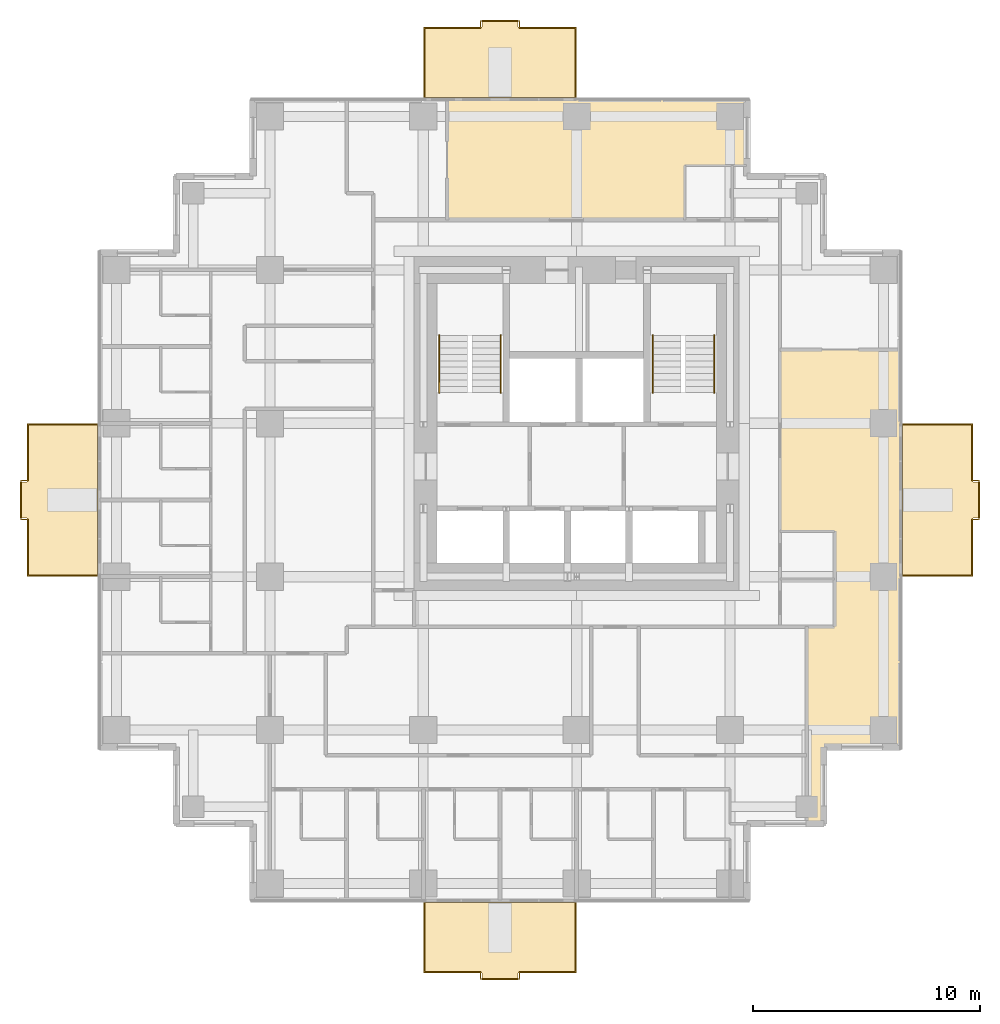
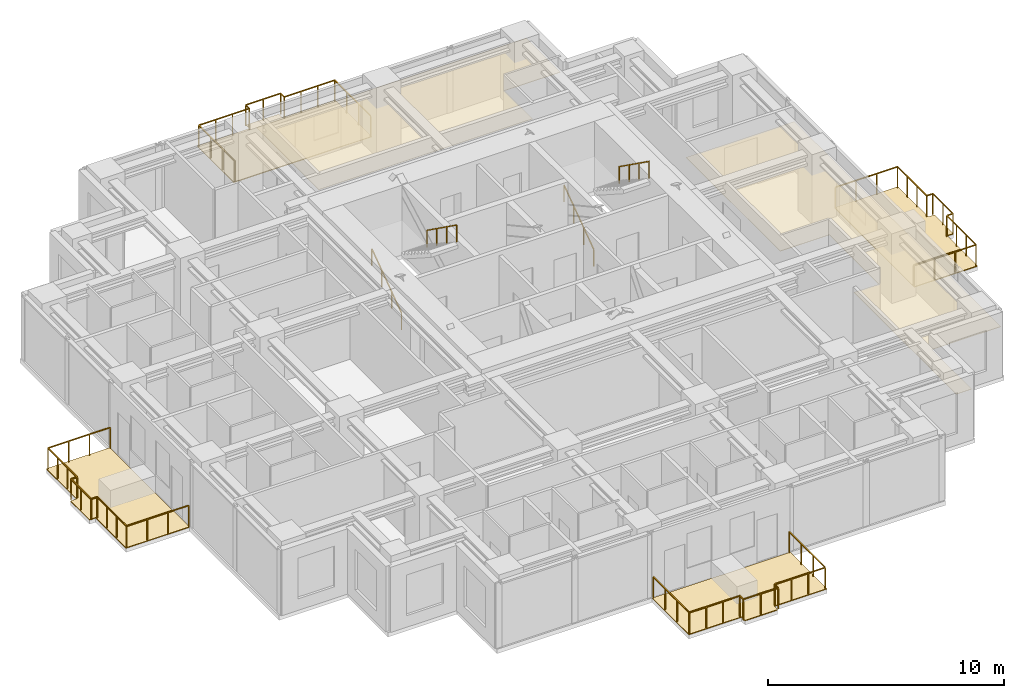
# One storey, part 8 of 8: 8 railings, 6 coverings.
"""IFC4 building model written with IfcOpenShell, lengths in metres."""

from ifc_helpers import new_model, si_unit, direction, frame, origin, origin_2d, place, context, subcontext, project, spatial, polyline, rectangle, outline, extrude, material, layer, layer_set, type_object, element, save


model = new_model("IFC4")

# Units and contexts
model_context = context("Model", 3, precision=1e-05, world=origin(), true_north=direction((0.0, 1.0)))
body_context = subcontext(model_context, "Body", "Model", "MODEL_VIEW")
ifc_project = project(units=[si_unit("LENGTHUNIT", "METRE"), si_unit("AREAUNIT", "SQUARE_METRE"), si_unit("VOLUMEUNIT", "CUBIC_METRE"), si_unit("PLANEANGLEUNIT", "RADIAN"), si_unit("MASSUNIT", "GRAM", prefix="KILO")], contexts=[model_context])

# Site, building, storey
site_placement = place(None, origin())
site = spatial("IfcSite", under=ifc_project, at=site_placement, CompositionType="ELEMENT")
building_placement = place(site_placement, origin())
building = spatial("IfcBuilding", under=site, at=building_placement, Name="Nyansa Garden Tower", CompositionType="ELEMENT")
storey_placement = place(building_placement, frame((0.0, 0.0, 171.0)))
storey = spatial("IfcBuildingStorey", under=building, at=storey_placement, Name="L46", CompositionType="ELEMENT", Elevation=171.0)

# Coverings
ifc_material_1 = material(Name="Perforated timber acoustic ceiling", Category="wood")
ifc_layer_1 = layer(ifc_material_1, 0.02001953125)
ifc_layer_set_1 = layer_set([ifc_layer_1], Name="Acoustic ceiling CL20")
covering_type_1 = type_object("IfcCoveringType", Name="Acoustic ceiling CL20", PredefinedType="CEILING", material=ifc_layer_set_1)
covering_1_placement = place(storey_placement, frame((0.0, 0.0, 2.5048828125)))
element("IfcCovering", 1, at=covering_1_placement, inside=storey, type_object=covering_type_1, Name="Ceiling L46-036", PredefinedType="CEILING", context=body_context, shape_type="SweptSolid", body=[
    extrude(outline(polyline([(30.375, 11.300048828125), (31.60009765625, 11.300048828125), (31.60009765625, 15.5), (29.199951171875, 15.5), (29.199951171875, 23.48193359375), (34.5, 23.48193359375), (34.5, 6.0), (31.125, 6.0), (31.125, 2.625), (30.375, 2.625), (30.375, 11.300048828125)])), origin(), (0.0, 0.0, 1.0), 0.02001953125),
])
covering_2_placement = place(storey_placement, frame((0.0, 0.0, 2.5048828125)))
element("IfcCovering", 2, at=covering_2_placement, inside=storey, type_object=covering_type_1, Name="Ceiling L46-040", PredefinedType="CEILING", context=body_context, shape_type="SweptSolid", body=[
    extrude(outline(polyline([(25.0, 31.60009765625), (25.0, 29.199951171875), (14.548583984375, 29.199951171875), (14.548583984375, 34.5), (27.75, 34.5), (27.75, 31.60009765625), (25.0, 31.60009765625)])), origin(), (0.0, 0.0, 1.0), 0.02001953125),
])
ifc_material_2 = material(Name="Hardwood decking on pedestals", Category="wood")
ifc_layer_2 = layer(ifc_material_2, 0.0400390625)
ifc_layer_set_2 = layer_set([ifc_layer_2], Name="Balcony decking DK40")
covering_type_2 = type_object("IfcCoveringType", Name="Balcony decking DK40", PredefinedType="FLOORING", material=ifc_layer_set_2)
covering_3_placement = place(storey_placement, frame((0.0, 0.0, -0.0400390625)))
element("IfcCovering", 3, at=covering_3_placement, inside=storey, type_object=covering_type_2, Name="Balcony decking L46", PredefinedType="FLOORING", context=body_context, shape_type="SweptSolid", body=[
    extrude(outline(polyline([(13.5, -0.85009765625), (20.25, -0.85009765625), (20.25, -3.949951171875), (17.675048828125, -3.949951171875), (17.675048828125, -4.25), (16.074951171875, -4.25), (16.074951171875, -3.949951171875), (13.5, -3.949951171875), (13.5, -0.85009765625)])), origin(), (0.0, 0.0, 1.0), 0.0400390625),
])
covering_4_placement = place(storey_placement, frame((0.0, 0.0, -0.0400390625)))
element("IfcCovering", 4, at=covering_4_placement, inside=storey, type_object=covering_type_2, Name="Balcony decking L46", PredefinedType="FLOORING", context=body_context, shape_type="SweptSolid", body=[
    extrude(outline(polyline([(34.60009765625, 13.5), (34.60009765625, 20.25), (37.699951171875, 20.25), (37.699951171875, 17.675048828125), (38.0, 17.675048828125), (38.0, 16.074951171875), (37.699951171875, 16.074951171875), (37.699951171875, 13.5), (34.60009765625, 13.5)])), origin(), (0.0, 0.0, 1.0), 0.0400390625),
])
covering_5_placement = place(storey_placement, frame((0.0, 0.0, -0.0400390625)))
element("IfcCovering", 5, at=covering_5_placement, inside=storey, type_object=covering_type_2, Name="Balcony decking L46", PredefinedType="FLOORING", context=body_context, shape_type="SweptSolid", body=[
    extrude(outline(polyline([(13.5, 34.60009765625), (20.25, 34.60009765625), (20.25, 37.699951171875), (17.675048828125, 37.699951171875), (17.675048828125, 38.0), (16.074951171875, 38.0), (16.074951171875, 37.699951171875), (13.5, 37.699951171875), (13.5, 34.60009765625)])), origin(), (0.0, 0.0, 1.0), 0.0400390625),
])
covering_6_placement = place(storey_placement, frame((0.0, 0.0, -0.0400390625)))
element("IfcCovering", 6, at=covering_6_placement, inside=storey, type_object=covering_type_2, Name="Balcony decking L46", PredefinedType="FLOORING", context=body_context, shape_type="SweptSolid", body=[
    extrude(outline(polyline([(-0.85009765625, 13.5), (-0.85009765625, 20.25), (-3.949951171875, 20.25), (-3.949951171875, 17.675048828125), (-4.25, 17.675048828125), (-4.25, 16.074951171875), (-3.949951171875, 16.074951171875), (-3.949951171875, 13.5), (-0.85009765625, 13.5)])), origin(), (0.0, 0.0, 1.0), 0.0400390625),
])

# Railings
ifc_material_3 = material(Name="Black powder-coated steel balusters, laminated glass infill", Category="steel")
railing_type_1 = type_object("IfcRailingType", Name="Balcony guard G1", PredefinedType="GUARDRAIL", material=ifc_material_3)
railing_1_placement = place(storey_placement, frame((13.550048828125, -0.85009765625, 0.0)))
element("IfcRailing", 7, at=railing_1_placement, inside=storey, type_object=railing_type_1, Name="Balcony guard L46", PredefinedType="GUARDRAIL", context=body_context, shape_type="SweptSolid", body=[
    extrude(rectangle(XDim=0.048095703125, YDim=0.048095703125, at=origin_2d()), frame((0.0, 0.0, 1.076171875), z_axis=(0.0, -1.0, 0.0), x_axis=(1.0, 0.0, 0.0)), (0.0, 0.0, 1.0), 3.0498046875),
    extrude(rectangle(XDim=0.048095703125, YDim=0.048095703125, at=origin_2d()), frame((0.0, -3.0498046875, 1.076171875), z_axis=(1.0, 0.0, 0.0), x_axis=(0.0, 1.0, 0.0)), (0.0, 0.0, 1.0), 2.474853515625),
    extrude(rectangle(XDim=0.048095703125, YDim=0.048095703125, at=origin_2d()), frame((2.474853515625, -3.0498046875, 1.076171875), z_axis=(0.0, -1.0, 0.0), x_axis=(1.0, 0.0, 0.0)), (0.0, 0.0, 1.0), 0.300048828125),
    extrude(rectangle(XDim=0.048095703125, YDim=0.048095703125, at=origin_2d()), frame((2.474853515625, -3.349853515625, 1.076171875), z_axis=(1.0, 0.0, 0.0), x_axis=(0.0, 1.0, 0.0)), (0.0, 0.0, 1.0), 1.7001953125),
    extrude(rectangle(XDim=0.048095703125, YDim=0.048095703125, at=origin_2d()), frame((4.175048828125, -3.349853515625, 1.076171875), z_axis=(0.0, 1.0, 0.0), x_axis=(-1.0, 0.0, 0.0)), (0.0, 0.0, 1.0), 0.300048828125),
    extrude(rectangle(XDim=0.048095703125, YDim=0.048095703125, at=origin_2d()), frame((4.175048828125, -3.0498046875, 1.076171875), z_axis=(1.0, 0.0, 0.0), x_axis=(0.0, 1.0, 0.0)), (0.0, 0.0, 1.0), 2.474853515625),
    extrude(rectangle(XDim=0.048095703125, YDim=0.048095703125, at=origin_2d()), frame((6.64990234375, -3.0498046875, 1.076171875), z_axis=(0.0, 1.0, 0.0), x_axis=(-1.0, 0.0, 0.0)), (0.0, 0.0, 1.0), 3.0498046875),
    extrude(rectangle(XDim=0.0419921875, YDim=0.0419921875, at=origin_2d()), origin(), (0.0, 0.0, 1.0), 1.052001953125),
    extrude(rectangle(XDim=0.0419921875, YDim=0.0419921875, at=origin_2d()), frame((0.0, -1.0166015625, 0.0)), (0.0, 0.0, 1.0), 1.052001953125),
    extrude(rectangle(XDim=0.0419921875, YDim=0.0419921875, at=origin_2d()), frame((0.0, -2.033203125, 0.0)), (0.0, 0.0, 1.0), 1.052001953125),
    extrude(rectangle(XDim=0.0419921875, YDim=0.0419921875, at=origin_2d()), frame((0.0, -3.0498046875, 0.0)), (0.0, 0.0, 1.0), 1.052001953125),
    extrude(rectangle(XDim=0.0419921875, YDim=0.0419921875, at=origin_2d()), frame((0.824951171875, -3.0498046875, 0.0)), (0.0, 0.0, 1.0), 1.052001953125),
    extrude(rectangle(XDim=0.0419921875, YDim=0.0419921875, at=origin_2d()), frame((1.64990234375, -3.0498046875, 0.0)), (0.0, 0.0, 1.0), 1.052001953125),
    extrude(rectangle(XDim=0.0419921875, YDim=0.0419921875, at=origin_2d()), frame((2.474853515625, -3.0498046875, 0.0)), (0.0, 0.0, 1.0), 1.052001953125),
    extrude(rectangle(XDim=0.0419921875, YDim=0.0419921875, at=origin_2d()), frame((2.474853515625, -3.349853515625, 0.0)), (0.0, 0.0, 1.0), 1.052001953125),
    extrude(rectangle(XDim=0.0419921875, YDim=0.0419921875, at=origin_2d()), frame((3.324951171875, -3.349853515625, 0.0)), (0.0, 0.0, 1.0), 1.052001953125),
    extrude(rectangle(XDim=0.0419921875, YDim=0.0419921875, at=origin_2d()), frame((4.175048828125, -3.349853515625, 0.0)), (0.0, 0.0, 1.0), 1.052001953125),
    extrude(rectangle(XDim=0.0419921875, YDim=0.0419921875, at=origin_2d()), frame((4.175048828125, -3.0498046875, 0.0)), (0.0, 0.0, 1.0), 1.052001953125),
    extrude(rectangle(XDim=0.0419921875, YDim=0.0419921875, at=origin_2d()), frame((5.0, -3.0498046875, 0.0)), (0.0, 0.0, 1.0), 1.052001953125),
    extrude(rectangle(XDim=0.0419921875, YDim=0.0419921875, at=origin_2d()), frame((5.824951171875, -3.0498046875, 0.0)), (0.0, 0.0, 1.0), 1.052001953125),
    extrude(rectangle(XDim=0.0419921875, YDim=0.0419921875, at=origin_2d()), frame((6.64990234375, -3.0498046875, 0.0)), (0.0, 0.0, 1.0), 1.052001953125),
    extrude(rectangle(XDim=0.0419921875, YDim=0.0419921875, at=origin_2d()), frame((6.64990234375, -2.033203125, 0.0)), (0.0, 0.0, 1.0), 1.052001953125),
    extrude(rectangle(XDim=0.0419921875, YDim=0.0419921875, at=origin_2d()), frame((6.64990234375, -1.0166015625, 0.0)), (0.0, 0.0, 1.0), 1.052001953125),
    extrude(rectangle(XDim=0.0419921875, YDim=0.0419921875, at=origin_2d()), frame((6.64990234375, 0.0, 0.0)), (0.0, 0.0, 1.0), 1.052001953125),
])
railing_2_placement = place(storey_placement, frame((34.60009765625, 13.550048828125, 0.0)))
element("IfcRailing", 8, at=railing_2_placement, inside=storey, type_object=railing_type_1, Name="Balcony guard L46", PredefinedType="GUARDRAIL", context=body_context, shape_type="SweptSolid", body=[
    extrude(rectangle(XDim=0.048095703125, YDim=0.048095703125, at=origin_2d()), frame((0.0, 0.0, 1.076171875), z_axis=(1.0, 0.0, 0.0), x_axis=(0.0, 1.0, 0.0)), (0.0, 0.0, 1.0), 3.0498046875),
    extrude(rectangle(XDim=0.048095703125, YDim=0.048095703125, at=origin_2d()), frame((3.0498046875, 0.0, 1.076171875), z_axis=(0.0, 1.0, 0.0), x_axis=(-1.0, 0.0, 0.0)), (0.0, 0.0, 1.0), 2.474853515625),
    extrude(rectangle(XDim=0.048095703125, YDim=0.048095703125, at=origin_2d()), frame((3.0498046875, 2.474853515625, 1.076171875), z_axis=(1.0, 0.0, 0.0), x_axis=(0.0, 1.0, 0.0)), (0.0, 0.0, 1.0), 0.300048828125),
    extrude(rectangle(XDim=0.048095703125, YDim=0.048095703125, at=origin_2d()), frame((3.349853515625, 2.474853515625, 1.076171875), z_axis=(0.0, 1.0, 0.0), x_axis=(-1.0, 0.0, 0.0)), (0.0, 0.0, 1.0), 1.7001953125),
    extrude(rectangle(XDim=0.048095703125, YDim=0.048095703125, at=origin_2d()), frame((3.349853515625, 4.175048828125, 1.076171875), z_axis=(-1.0, 0.0, 0.0), x_axis=(0.0, -1.0, 0.0)), (0.0, 0.0, 1.0), 0.300048828125),
    extrude(rectangle(XDim=0.048095703125, YDim=0.048095703125, at=origin_2d()), frame((3.0498046875, 4.175048828125, 1.076171875), z_axis=(0.0, 1.0, 0.0), x_axis=(-1.0, 0.0, 0.0)), (0.0, 0.0, 1.0), 2.474853515625),
    extrude(rectangle(XDim=0.048095703125, YDim=0.048095703125, at=origin_2d()), frame((3.0498046875, 6.64990234375, 1.076171875), z_axis=(-1.0, 0.0, 0.0), x_axis=(0.0, -1.0, 0.0)), (0.0, 0.0, 1.0), 3.0498046875),
    extrude(rectangle(XDim=0.0419921875, YDim=0.0419921875, at=origin_2d()), origin(), (0.0, 0.0, 1.0), 1.052001953125),
    extrude(rectangle(XDim=0.0419921875, YDim=0.0419921875, at=origin_2d()), frame((1.0166015625, 0.0, 0.0)), (0.0, 0.0, 1.0), 1.052001953125),
    extrude(rectangle(XDim=0.0419921875, YDim=0.0419921875, at=origin_2d()), frame((2.033203125, 0.0, 0.0)), (0.0, 0.0, 1.0), 1.052001953125),
    extrude(rectangle(XDim=0.0419921875, YDim=0.0419921875, at=origin_2d()), frame((3.0498046875, 0.0, 0.0)), (0.0, 0.0, 1.0), 1.052001953125),
    extrude(rectangle(XDim=0.0419921875, YDim=0.0419921875, at=origin_2d()), frame((3.0498046875, 0.824951171875, 0.0)), (0.0, 0.0, 1.0), 1.052001953125),
    extrude(rectangle(XDim=0.0419921875, YDim=0.0419921875, at=origin_2d()), frame((3.0498046875, 1.64990234375, 0.0)), (0.0, 0.0, 1.0), 1.052001953125),
    extrude(rectangle(XDim=0.0419921875, YDim=0.0419921875, at=origin_2d()), frame((3.0498046875, 2.474853515625, 0.0)), (0.0, 0.0, 1.0), 1.052001953125),
    extrude(rectangle(XDim=0.0419921875, YDim=0.0419921875, at=origin_2d()), frame((3.349853515625, 2.474853515625, 0.0)), (0.0, 0.0, 1.0), 1.052001953125),
    extrude(rectangle(XDim=0.0419921875, YDim=0.0419921875, at=origin_2d()), frame((3.349853515625, 3.324951171875, 0.0)), (0.0, 0.0, 1.0), 1.052001953125),
    extrude(rectangle(XDim=0.0419921875, YDim=0.0419921875, at=origin_2d()), frame((3.349853515625, 4.175048828125, 0.0)), (0.0, 0.0, 1.0), 1.052001953125),
    extrude(rectangle(XDim=0.0419921875, YDim=0.0419921875, at=origin_2d()), frame((3.0498046875, 4.175048828125, 0.0)), (0.0, 0.0, 1.0), 1.052001953125),
    extrude(rectangle(XDim=0.0419921875, YDim=0.0419921875, at=origin_2d()), frame((3.0498046875, 5.0, 0.0)), (0.0, 0.0, 1.0), 1.052001953125),
    extrude(rectangle(XDim=0.0419921875, YDim=0.0419921875, at=origin_2d()), frame((3.0498046875, 5.824951171875, 0.0)), (0.0, 0.0, 1.0), 1.052001953125),
    extrude(rectangle(XDim=0.0419921875, YDim=0.0419921875, at=origin_2d()), frame((3.0498046875, 6.64990234375, 0.0)), (0.0, 0.0, 1.0), 1.052001953125),
    extrude(rectangle(XDim=0.0419921875, YDim=0.0419921875, at=origin_2d()), frame((2.033203125, 6.64990234375, 0.0)), (0.0, 0.0, 1.0), 1.052001953125),
    extrude(rectangle(XDim=0.0419921875, YDim=0.0419921875, at=origin_2d()), frame((1.0166015625, 6.64990234375, 0.0)), (0.0, 0.0, 1.0), 1.052001953125),
    extrude(rectangle(XDim=0.0419921875, YDim=0.0419921875, at=origin_2d()), frame((0.0, 6.64990234375, 0.0)), (0.0, 0.0, 1.0), 1.052001953125),
])
railing_3_placement = place(storey_placement, frame((13.550048828125, 34.60009765625, 0.0)))
element("IfcRailing", 9, at=railing_3_placement, inside=storey, type_object=railing_type_1, Name="Balcony guard L46", PredefinedType="GUARDRAIL", context=body_context, shape_type="SweptSolid", body=[
    extrude(rectangle(XDim=0.048095703125, YDim=0.048095703125, at=origin_2d()), frame((0.0, 0.0, 1.076171875), z_axis=(0.0, 1.0, 0.0), x_axis=(-1.0, 0.0, 0.0)), (0.0, 0.0, 1.0), 3.0498046875),
    extrude(rectangle(XDim=0.048095703125, YDim=0.048095703125, at=origin_2d()), frame((0.0, 3.0498046875, 1.076171875), z_axis=(1.0, 0.0, 0.0), x_axis=(0.0, 1.0, 0.0)), (0.0, 0.0, 1.0), 2.474853515625),
    extrude(rectangle(XDim=0.048095703125, YDim=0.048095703125, at=origin_2d()), frame((2.474853515625, 3.0498046875, 1.076171875), z_axis=(0.0, 1.0, 0.0), x_axis=(-1.0, 0.0, 0.0)), (0.0, 0.0, 1.0), 0.300048828125),
    extrude(rectangle(XDim=0.048095703125, YDim=0.048095703125, at=origin_2d()), frame((2.474853515625, 3.349853515625, 1.076171875), z_axis=(1.0, 0.0, 0.0), x_axis=(0.0, 1.0, 0.0)), (0.0, 0.0, 1.0), 1.7001953125),
    extrude(rectangle(XDim=0.048095703125, YDim=0.048095703125, at=origin_2d()), frame((4.175048828125, 3.349853515625, 1.076171875), z_axis=(0.0, -1.0, 0.0), x_axis=(1.0, 0.0, 0.0)), (0.0, 0.0, 1.0), 0.300048828125),
    extrude(rectangle(XDim=0.048095703125, YDim=0.048095703125, at=origin_2d()), frame((4.175048828125, 3.0498046875, 1.076171875), z_axis=(1.0, 0.0, 0.0), x_axis=(0.0, 1.0, 0.0)), (0.0, 0.0, 1.0), 2.474853515625),
    extrude(rectangle(XDim=0.048095703125, YDim=0.048095703125, at=origin_2d()), frame((6.64990234375, 3.0498046875, 1.076171875), z_axis=(0.0, -1.0, 0.0), x_axis=(1.0, 0.0, 0.0)), (0.0, 0.0, 1.0), 3.0498046875),
    extrude(rectangle(XDim=0.0419921875, YDim=0.0419921875, at=origin_2d()), origin(), (0.0, 0.0, 1.0), 1.052001953125),
    extrude(rectangle(XDim=0.0419921875, YDim=0.0419921875, at=origin_2d()), frame((0.0, 1.0166015625, 0.0)), (0.0, 0.0, 1.0), 1.052001953125),
    extrude(rectangle(XDim=0.0419921875, YDim=0.0419921875, at=origin_2d()), frame((0.0, 2.033203125, 0.0)), (0.0, 0.0, 1.0), 1.052001953125),
    extrude(rectangle(XDim=0.0419921875, YDim=0.0419921875, at=origin_2d()), frame((0.0, 3.0498046875, 0.0)), (0.0, 0.0, 1.0), 1.052001953125),
    extrude(rectangle(XDim=0.0419921875, YDim=0.0419921875, at=origin_2d()), frame((0.824951171875, 3.0498046875, 0.0)), (0.0, 0.0, 1.0), 1.052001953125),
    extrude(rectangle(XDim=0.0419921875, YDim=0.0419921875, at=origin_2d()), frame((1.64990234375, 3.0498046875, 0.0)), (0.0, 0.0, 1.0), 1.052001953125),
    extrude(rectangle(XDim=0.0419921875, YDim=0.0419921875, at=origin_2d()), frame((2.474853515625, 3.0498046875, 0.0)), (0.0, 0.0, 1.0), 1.052001953125),
    extrude(rectangle(XDim=0.0419921875, YDim=0.0419921875, at=origin_2d()), frame((2.474853515625, 3.349853515625, 0.0)), (0.0, 0.0, 1.0), 1.052001953125),
    extrude(rectangle(XDim=0.0419921875, YDim=0.0419921875, at=origin_2d()), frame((3.324951171875, 3.349853515625, 0.0)), (0.0, 0.0, 1.0), 1.052001953125),
    extrude(rectangle(XDim=0.0419921875, YDim=0.0419921875, at=origin_2d()), frame((4.175048828125, 3.349853515625, 0.0)), (0.0, 0.0, 1.0), 1.052001953125),
    extrude(rectangle(XDim=0.0419921875, YDim=0.0419921875, at=origin_2d()), frame((4.175048828125, 3.0498046875, 0.0)), (0.0, 0.0, 1.0), 1.052001953125),
    extrude(rectangle(XDim=0.0419921875, YDim=0.0419921875, at=origin_2d()), frame((5.0, 3.0498046875, 0.0)), (0.0, 0.0, 1.0), 1.052001953125),
    extrude(rectangle(XDim=0.0419921875, YDim=0.0419921875, at=origin_2d()), frame((5.824951171875, 3.0498046875, 0.0)), (0.0, 0.0, 1.0), 1.052001953125),
    extrude(rectangle(XDim=0.0419921875, YDim=0.0419921875, at=origin_2d()), frame((6.64990234375, 3.0498046875, 0.0)), (0.0, 0.0, 1.0), 1.052001953125),
    extrude(rectangle(XDim=0.0419921875, YDim=0.0419921875, at=origin_2d()), frame((6.64990234375, 2.033203125, 0.0)), (0.0, 0.0, 1.0), 1.052001953125),
    extrude(rectangle(XDim=0.0419921875, YDim=0.0419921875, at=origin_2d()), frame((6.64990234375, 1.0166015625, 0.0)), (0.0, 0.0, 1.0), 1.052001953125),
    extrude(rectangle(XDim=0.0419921875, YDim=0.0419921875, at=origin_2d()), frame((6.64990234375, 0.0, 0.0)), (0.0, 0.0, 1.0), 1.052001953125),
])
railing_4_placement = place(storey_placement, frame((-0.85009765625, 13.550048828125, 0.0)))
element("IfcRailing", 10, at=railing_4_placement, inside=storey, type_object=railing_type_1, Name="Balcony guard L46", PredefinedType="GUARDRAIL", context=body_context, shape_type="SweptSolid", body=[
    extrude(rectangle(XDim=0.048095703125, YDim=0.048095703125, at=origin_2d()), frame((0.0, 0.0, 1.076171875), z_axis=(-1.0, 0.0, 0.0), x_axis=(0.0, -1.0, 0.0)), (0.0, 0.0, 1.0), 3.0498046875),
    extrude(rectangle(XDim=0.048095703125, YDim=0.048095703125, at=origin_2d()), frame((-3.0498046875, 0.0, 1.076171875), z_axis=(0.0, 1.0, 0.0), x_axis=(-1.0, 0.0, 0.0)), (0.0, 0.0, 1.0), 2.474853515625),
    extrude(rectangle(XDim=0.048095703125, YDim=0.048095703125, at=origin_2d()), frame((-3.0498046875, 2.474853515625, 1.076171875), z_axis=(-1.0, 0.0, 0.0), x_axis=(0.0, -1.0, 0.0)), (0.0, 0.0, 1.0), 0.300048828125),
    extrude(rectangle(XDim=0.048095703125, YDim=0.048095703125, at=origin_2d()), frame((-3.349853515625, 2.474853515625, 1.076171875), z_axis=(0.0, 1.0, 0.0), x_axis=(-1.0, 0.0, 0.0)), (0.0, 0.0, 1.0), 1.7001953125),
    extrude(rectangle(XDim=0.048095703125, YDim=0.048095703125, at=origin_2d()), frame((-3.349853515625, 4.175048828125, 1.076171875), z_axis=(1.0, 0.0, 0.0), x_axis=(0.0, 1.0, 0.0)), (0.0, 0.0, 1.0), 0.300048828125),
    extrude(rectangle(XDim=0.048095703125, YDim=0.048095703125, at=origin_2d()), frame((-3.0498046875, 4.175048828125, 1.076171875), z_axis=(0.0, 1.0, 0.0), x_axis=(-1.0, 0.0, 0.0)), (0.0, 0.0, 1.0), 2.474853515625),
    extrude(rectangle(XDim=0.048095703125, YDim=0.048095703125, at=origin_2d()), frame((-3.0498046875, 6.64990234375, 1.076171875), z_axis=(1.0, 0.0, 0.0), x_axis=(0.0, 1.0, 0.0)), (0.0, 0.0, 1.0), 3.0498046875),
    extrude(rectangle(XDim=0.0419921875, YDim=0.0419921875, at=origin_2d()), origin(), (0.0, 0.0, 1.0), 1.052001953125),
    extrude(rectangle(XDim=0.0419921875, YDim=0.0419921875, at=origin_2d()), frame((-1.0166015625, 0.0, 0.0)), (0.0, 0.0, 1.0), 1.052001953125),
    extrude(rectangle(XDim=0.0419921875, YDim=0.0419921875, at=origin_2d()), frame((-2.033203125, 0.0, 0.0)), (0.0, 0.0, 1.0), 1.052001953125),
    extrude(rectangle(XDim=0.0419921875, YDim=0.0419921875, at=origin_2d()), frame((-3.0498046875, 0.0, 0.0)), (0.0, 0.0, 1.0), 1.052001953125),
    extrude(rectangle(XDim=0.0419921875, YDim=0.0419921875, at=origin_2d()), frame((-3.0498046875, 0.824951171875, 0.0)), (0.0, 0.0, 1.0), 1.052001953125),
    extrude(rectangle(XDim=0.0419921875, YDim=0.0419921875, at=origin_2d()), frame((-3.0498046875, 1.64990234375, 0.0)), (0.0, 0.0, 1.0), 1.052001953125),
    extrude(rectangle(XDim=0.0419921875, YDim=0.0419921875, at=origin_2d()), frame((-3.0498046875, 2.474853515625, 0.0)), (0.0, 0.0, 1.0), 1.052001953125),
    extrude(rectangle(XDim=0.0419921875, YDim=0.0419921875, at=origin_2d()), frame((-3.349853515625, 2.474853515625, 0.0)), (0.0, 0.0, 1.0), 1.052001953125),
    extrude(rectangle(XDim=0.0419921875, YDim=0.0419921875, at=origin_2d()), frame((-3.349853515625, 3.324951171875, 0.0)), (0.0, 0.0, 1.0), 1.052001953125),
    extrude(rectangle(XDim=0.0419921875, YDim=0.0419921875, at=origin_2d()), frame((-3.349853515625, 4.175048828125, 0.0)), (0.0, 0.0, 1.0), 1.052001953125),
    extrude(rectangle(XDim=0.0419921875, YDim=0.0419921875, at=origin_2d()), frame((-3.0498046875, 4.175048828125, 0.0)), (0.0, 0.0, 1.0), 1.052001953125),
    extrude(rectangle(XDim=0.0419921875, YDim=0.0419921875, at=origin_2d()), frame((-3.0498046875, 5.0, 0.0)), (0.0, 0.0, 1.0), 1.052001953125),
    extrude(rectangle(XDim=0.0419921875, YDim=0.0419921875, at=origin_2d()), frame((-3.0498046875, 5.824951171875, 0.0)), (0.0, 0.0, 1.0), 1.052001953125),
    extrude(rectangle(XDim=0.0419921875, YDim=0.0419921875, at=origin_2d()), frame((-3.0498046875, 6.64990234375, 0.0)), (0.0, 0.0, 1.0), 1.052001953125),
    extrude(rectangle(XDim=0.0419921875, YDim=0.0419921875, at=origin_2d()), frame((-2.033203125, 6.64990234375, 0.0)), (0.0, 0.0, 1.0), 1.052001953125),
    extrude(rectangle(XDim=0.0419921875, YDim=0.0419921875, at=origin_2d()), frame((-1.0166015625, 6.64990234375, 0.0)), (0.0, 0.0, 1.0), 1.052001953125),
    extrude(rectangle(XDim=0.0419921875, YDim=0.0419921875, at=origin_2d()), frame((0.0, 6.64990234375, 0.0)), (0.0, 0.0, 1.0), 1.052001953125),
])
ifc_material_4 = material(Name="Black powder-coated steel tube 48 mm", Category="steel")
railing_type_2 = type_object("IfcRailingType", Name="Stair handrail HR1", PredefinedType="HANDRAIL", material=ifc_material_4)
railing_5_placement = place(storey_placement, frame((14.199951171875, 21.60009765625, 0.0)))
element("IfcRailing", 11, at=railing_5_placement, inside=storey, type_object=railing_type_2, Name="Stair S1 handrail L46", PredefinedType="HANDRAIL", context=body_context, shape_type="SweptSolid", body=[
    extrude(rectangle(XDim=0.048095703125, YDim=0.048095703125, at=origin_2d()), frame((0.0, 0.0, 0.8759765625), z_axis=(0.0, 0.813728144527, 0.581245650998), x_axis=(-1.0, 0.0, 0.0)), (0.0, 0.0, 1.0), 3.096923828125),
    extrude(rectangle(XDim=0.0419921875, YDim=0.0419921875, at=origin_2d()), origin(), (0.0, 0.0, 1.0), 0.851806640625),
    extrude(rectangle(XDim=0.0419921875, YDim=0.0419921875, at=origin_2d()), frame((0.0, 0.840087890625, 0.60009765625)), (0.0, 0.0, 1.0), 0.851806640625),
    extrude(rectangle(XDim=0.0419921875, YDim=0.0419921875, at=origin_2d()), frame((0.0, 1.679931640625, 1.199951171875)), (0.0, 0.0, 1.0), 0.851806640625),
    extrude(rectangle(XDim=0.0419921875, YDim=0.0419921875, at=origin_2d()), frame((0.0, 2.52001953125, 1.800048828125)), (0.0, 0.0, 1.0), 0.851806640625),
])
railing_6_placement = place(storey_placement, frame((16.89990234375, 24.1201171875, 1.800048828125)))
element("IfcRailing", 12, at=railing_6_placement, inside=storey, type_object=railing_type_2, Name="Stair S1 handrail L46", PredefinedType="HANDRAIL", context=body_context, shape_type="SweptSolid", body=[
    extrude(rectangle(XDim=0.048095703125, YDim=0.048095703125, at=origin_2d()), frame((0.0, 0.0, 0.8759765625), z_axis=(0.0, -0.813728144527, 0.581245650998), x_axis=(1.0, 0.0, 0.0)), (0.0, 0.0, 1.0), 3.096923828125),
    extrude(rectangle(XDim=0.0419921875, YDim=0.0419921875, at=origin_2d()), origin(), (0.0, 0.0, 1.0), 0.851806640625),
    extrude(rectangle(XDim=0.0419921875, YDim=0.0419921875, at=origin_2d()), frame((0.0, -0.840087890625, 0.60009765625)), (0.0, 0.0, 1.0), 0.851806640625),
    extrude(rectangle(XDim=0.0419921875, YDim=0.0419921875, at=origin_2d()), frame((0.0, -1.679931640625, 1.199951171875)), (0.0, 0.0, 1.0), 0.851806640625),
    extrude(rectangle(XDim=0.0419921875, YDim=0.0419921875, at=origin_2d()), frame((0.0, -2.52001953125, 1.800048828125)), (0.0, 0.0, 1.0), 0.851806640625),
])
railing_7_placement = place(storey_placement, frame((23.60009765625, 21.60009765625, 0.0)))
element("IfcRailing", 13, at=railing_7_placement, inside=storey, type_object=railing_type_2, Name="Stair S2 handrail L46", PredefinedType="HANDRAIL", context=body_context, shape_type="SweptSolid", body=[
    extrude(rectangle(XDim=0.048095703125, YDim=0.048095703125, at=origin_2d()), frame((0.0, 0.0, 0.8759765625), z_axis=(0.0, 0.813728144527, 0.581245650998), x_axis=(-1.0, 0.0, 0.0)), (0.0, 0.0, 1.0), 3.096923828125),
    extrude(rectangle(XDim=0.0419921875, YDim=0.0419921875, at=origin_2d()), origin(), (0.0, 0.0, 1.0), 0.851806640625),
    extrude(rectangle(XDim=0.0419921875, YDim=0.0419921875, at=origin_2d()), frame((0.0, 0.840087890625, 0.60009765625)), (0.0, 0.0, 1.0), 0.851806640625),
    extrude(rectangle(XDim=0.0419921875, YDim=0.0419921875, at=origin_2d()), frame((0.0, 1.679931640625, 1.199951171875)), (0.0, 0.0, 1.0), 0.851806640625),
    extrude(rectangle(XDim=0.0419921875, YDim=0.0419921875, at=origin_2d()), frame((0.0, 2.52001953125, 1.800048828125)), (0.0, 0.0, 1.0), 0.851806640625),
])
railing_8_placement = place(storey_placement, frame((26.300048828125, 24.1201171875, 1.800048828125)))
element("IfcRailing", 14, at=railing_8_placement, inside=storey, type_object=railing_type_2, Name="Stair S2 handrail L46", PredefinedType="HANDRAIL", context=body_context, shape_type="SweptSolid", body=[
    extrude(rectangle(XDim=0.048095703125, YDim=0.048095703125, at=origin_2d()), frame((0.0, 0.0, 0.8759765625), z_axis=(0.0, -0.813728144527, 0.581245650998), x_axis=(1.0, 0.0, 0.0)), (0.0, 0.0, 1.0), 3.096923828125),
    extrude(rectangle(XDim=0.0419921875, YDim=0.0419921875, at=origin_2d()), origin(), (0.0, 0.0, 1.0), 0.851806640625),
    extrude(rectangle(XDim=0.0419921875, YDim=0.0419921875, at=origin_2d()), frame((0.0, -0.840087890625, 0.60009765625)), (0.0, 0.0, 1.0), 0.851806640625),
    extrude(rectangle(XDim=0.0419921875, YDim=0.0419921875, at=origin_2d()), frame((0.0, -1.679931640625, 1.199951171875)), (0.0, 0.0, 1.0), 0.851806640625),
    extrude(rectangle(XDim=0.0419921875, YDim=0.0419921875, at=origin_2d()), frame((0.0, -2.52001953125, 1.800048828125)), (0.0, 0.0, 1.0), 0.851806640625),
])

save(model, "model.ifc")
